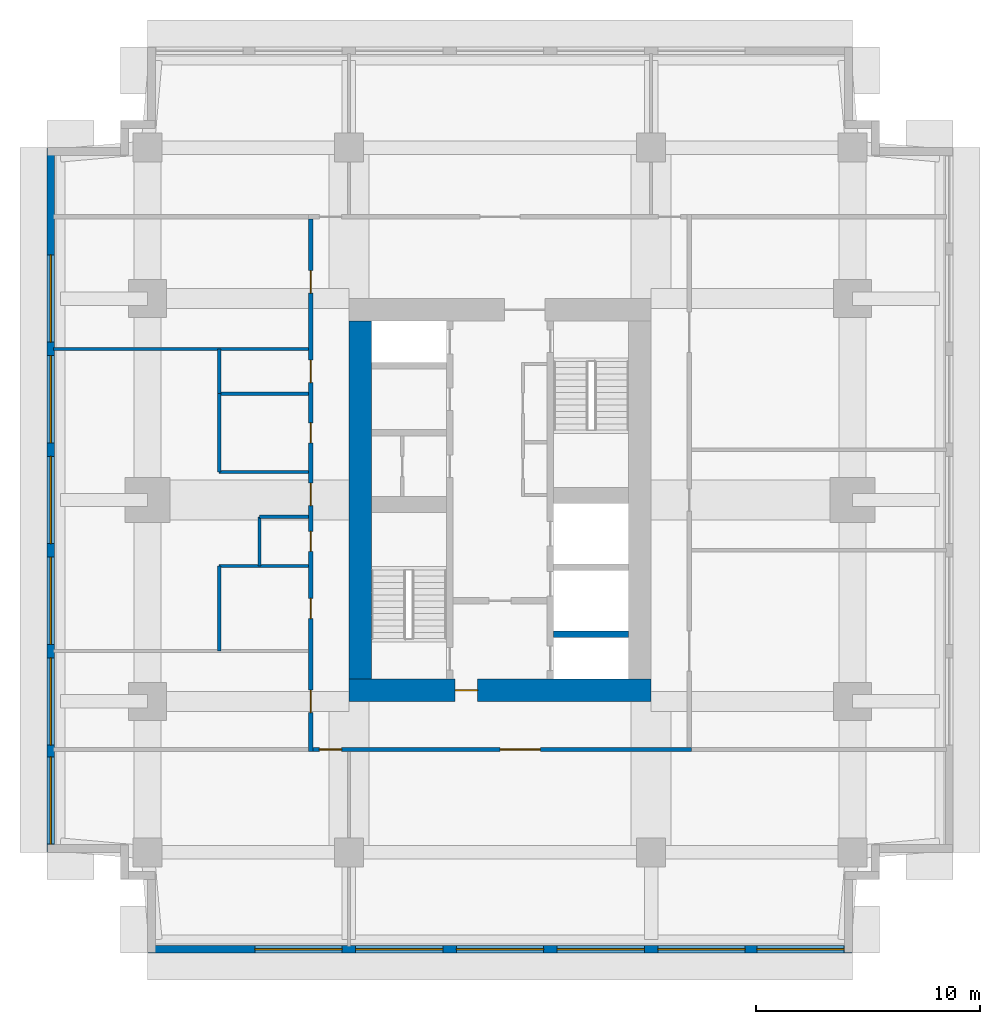
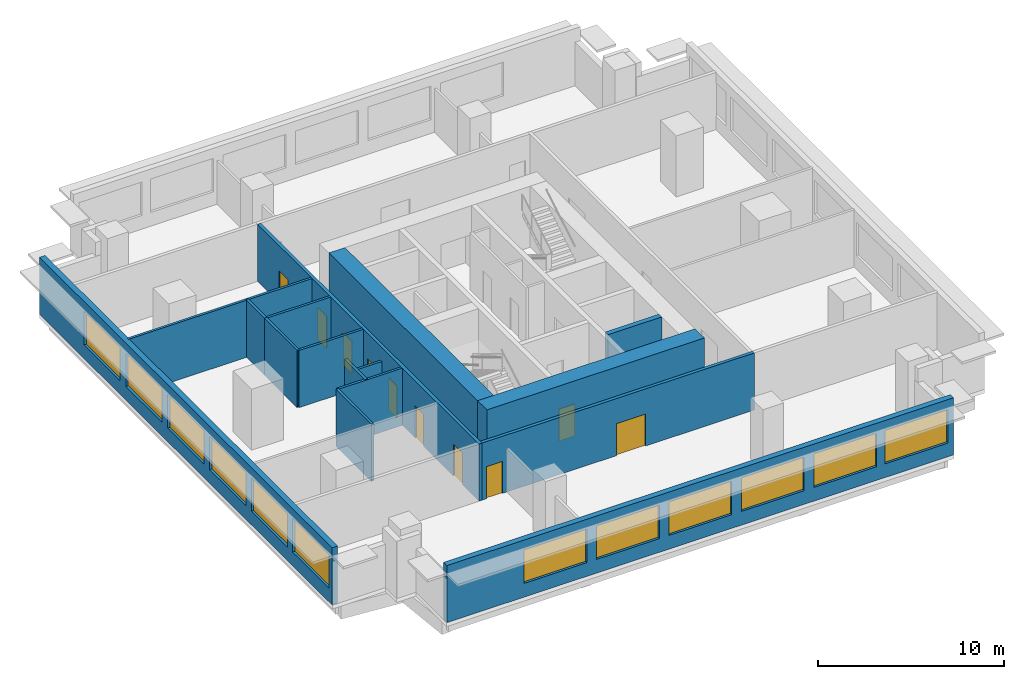
# One storey, part 2 of 5: 16 walls, 12 windows, 10 doors, 22 openings.
"""IFC4 building model written with IfcOpenShell, lengths in metres."""

from ifc_helpers import new_model, si_unit, direction, frame, frame_2d, origin, place, context, subcontext, project, spatial, rectangle, extrude, material, layer, layer_set, type_object, element, fill, save


model = new_model("IFC4")

# Units and contexts
model_context = context("Model", 3, precision=1e-05, world=origin(), true_north=direction((0.0, 1.0)))
body_context = subcontext(model_context, "Body", "Model", "MODEL_VIEW")
ifc_project = project(units=[si_unit("LENGTHUNIT", "METRE"), si_unit("AREAUNIT", "SQUARE_METRE"), si_unit("VOLUMEUNIT", "CUBIC_METRE"), si_unit("PLANEANGLEUNIT", "RADIAN"), si_unit("MASSUNIT", "GRAM", prefix="KILO")], contexts=[model_context])

# Site, building, storey
site_placement = place(None, origin())
site = spatial("IfcSite", under=ifc_project, at=site_placement, CompositionType="ELEMENT")
building_placement = place(site_placement, origin())
building = spatial("IfcBuilding", under=site, at=building_placement, Name="Namib Vertical Campus", CompositionType="ELEMENT")
storey_placement = place(building_placement, frame((0.0, 0.0, 273.0)))
storey = spatial("IfcBuildingStorey", under=building, at=storey_placement, Name="L64", CompositionType="ELEMENT", Elevation=273.0)

# Wall
ifc_material_1 = material(Name="Concrete C60/75", Category="concrete")
ifc_layer_1 = layer(ifc_material_1, 0.300048828125)
ifc_layer_set_1 = layer_set([ifc_layer_1], Name="Concrete C60/75")
wall_type_1 = type_object("IfcWallType", Name="Core inner wall 300", PredefinedType="SHEAR", material=ifc_layer_set_1)
wall_1_placement = place(storey_placement, frame((22.64990234375, 14.25, 0.0), z_axis=(0.0, 0.0, 1.0), x_axis=(1.0, 0.0, 0.0)))
element("IfcWall", 1, at=wall_1_placement, inside=storey, type_object=wall_type_1, Name="Core inner wall A L64 W5", PredefinedType="SHEAR", context=body_context, shape_type="SweptSolid", body=[
    extrude(rectangle(XDim=3.35009765625, YDim=0.300048828125, at=frame_2d((1.675048828125, 0.0))), origin(), (0.0, 0.0, 1.0), 4.0),
])

# Wall, opening, door
ifc_material_2 = material(Name="Concrete C60/75", Category="concrete")
ifc_layer_2 = layer(ifc_material_2, 1.0)
ifc_layer_set_2 = layer_set([ifc_layer_2], Name="Concrete C60/75")
wall_type_2 = type_object("IfcWallType", Name="Core wall 1000", PredefinedType="SHEAR", material=ifc_layer_set_2)
wall_2_placement = place(storey_placement, frame((13.5, 11.75, 0.0), z_axis=(0.0, 0.0, 1.0), x_axis=(1.0, 0.0, 0.0)))
wall_2 = element("IfcWall", 2, at=wall_2_placement, inside=storey, type_object=wall_type_2, Name="Core wall A L64 1", PredefinedType="SHEAR", context=body_context, shape_type="SweptSolid", body=[
    extrude(rectangle(XDim=13.5, YDim=1.0, at=frame_2d((6.75, 0.0))), origin(), (0.0, 0.0, 1.0), 4.0),
])
opening_1_placement = place(wall_2_placement, frame((4.75, 0.0, 0.0)))
opening_1 = element("IfcOpeningElement", 3, at=opening_1_placement, cuts=wall_2, Name="Opening FD5", PredefinedType="OPENING", context=body_context, shape_type="SweptSolid", body=[
    extrude(rectangle(XDim=1.0, YDim=2.10009765625, at=frame_2d((0.5, 1.050048828125))), frame((0.0, 0.510009765625, 0.0), z_axis=(0.0, -1.0, 0.0), x_axis=(1.0, 0.0, 0.0)), (0.0, 0.0, 1.0), 1.02001953125),
])
ifc_material_3 = material(Name="Steel fire door", Category="steel")
door_type_1 = type_object("IfcDoorType", Name="Fire door 1000x2100 120 min", OperationType="SINGLE_SWING_RIGHT", PredefinedType="DOOR", material=ifc_material_3)
door_1_placement = place(opening_1_placement, origin())
door_1 = element("IfcDoor", 4, at=door_1_placement, inside=storey, type_object=door_type_1, Name="Firefighting lobby door FD5 A L64", OperationType="SINGLE_SWING_LEFT", OverallHeight=2.10009765625, OverallWidth=1.0, PredefinedType="DOOR", context=body_context, shape_type="SweptSolid", body=[
    extrude(rectangle(XDim=1.0, YDim=2.10009765625, at=frame_2d((0.5, 1.050048828125))), frame((0.0, 0.02490234375, 0.0), z_axis=(0.0, -1.0, 0.0), x_axis=(1.0, 0.0, 0.0)), (0.0, 0.0, 1.0), 0.050048828125),
])
fill(opening_1, door_1)

# Wall
wall_3_placement = place(storey_placement, frame((14.0, 28.25, 0.0), z_axis=(0.0, 0.0, 1.0), x_axis=(0.0, -1.0, 0.0)))
element("IfcWall", 5, at=wall_3_placement, inside=storey, type_object=wall_type_2, Name="Core wall A L64 4", PredefinedType="SHEAR", context=body_context, shape_type="SweptSolid", body=[
    extrude(rectangle(XDim=16.0, YDim=1.0, at=frame_2d((8.0, 0.0))), origin(), (0.0, 0.0, 1.0), 4.0),
])

# Wall, openings, doors
ifc_material_4 = material(Name="Concrete masonry", Category="masonry")
ifc_layer_3 = layer(ifc_material_4, 0.199951171875)
ifc_layer_set_3 = layer_set([ifc_layer_3], Name="Corridor wall 200")
wall_type_3 = type_object("IfcWallType", Name="Corridor wall 200", PredefinedType="SOLIDWALL", material=ifc_layer_set_3)
wall_4_placement = place(storey_placement, frame((11.89990234375, 9.10009765625, 0.0), z_axis=(0.0, 0.0, 1.0), x_axis=(1.0, 0.0, 0.0)))
wall_4 = element("IfcWall", 6, at=wall_4_placement, inside=storey, type_object=wall_type_3, Name="Corridor wall A L64 CS", PredefinedType="SOLIDWALL", context=body_context, shape_type="SweptSolid", body=[
    extrude(rectangle(XDim=16.900146484375, YDim=0.199951171875, at=frame_2d((8.4501953125, 0.0))), origin(), (0.0, 0.0, 1.0), 3.75),
])
opening_2_placement = place(wall_4_placement, frame((0.27490234375, 0.0, 0.0)))
opening_2 = element("IfcOpeningElement", 7, at=opening_2_placement, cuts=wall_4, Name="Opening CD1", PredefinedType="OPENING", context=body_context, shape_type="SweptSolid", body=[
    extrude(rectangle(XDim=1.0, YDim=2.10009765625, at=frame_2d((0.5, 1.050048828125))), frame((0.0, 0.10986328125, 0.0), z_axis=(0.0, -1.0, 0.0), x_axis=(1.0, 0.0, 0.0)), (0.0, 0.0, 1.0), 0.219970703125),
])
opening_3_placement = place(wall_4_placement, frame((8.35009765625, 0.0, 0.0)))
opening_3 = element("IfcOpeningElement", 8, at=opening_3_placement, cuts=wall_4, Name="Opening CD2", PredefinedType="OPENING", context=body_context, shape_type="SweptSolid", body=[
    extrude(rectangle(XDim=1.800048828125, YDim=2.10009765625, at=frame_2d((0.89990234375, 1.050048828125))), frame((0.0, 0.10986328125, 0.0), z_axis=(0.0, -1.0, 0.0), x_axis=(1.0, 0.0, 0.0)), (0.0, 0.0, 1.0), 0.219970703125),
])
ifc_material_5 = material(Name="Timber fire door leaf", Category="wood")
door_type_2 = type_object("IfcDoorType", Name="Corridor door 1000x2100 20 min", OperationType="SINGLE_SWING_LEFT", PredefinedType="DOOR", material=ifc_material_5)
door_2_placement = place(opening_2_placement, frame((1.0, 0.0, 0.0), z_axis=(0.0, 0.0, 1.0), x_axis=(-1.0, 0.0, 0.0)))
door_2 = element("IfcDoor", 9, at=door_2_placement, inside=storey, type_object=door_type_2, Name="Door CD1 A64-01", OperationType="SINGLE_SWING_LEFT", OverallHeight=2.10009765625, OverallWidth=1.0, PredefinedType="DOOR", context=body_context, shape_type="SweptSolid", body=[
    extrude(rectangle(XDim=1.0, YDim=2.10009765625, at=frame_2d((0.5, 1.050048828125))), frame((0.0, 0.02490234375, 0.0), z_axis=(0.0, -1.0, 0.0), x_axis=(1.0, 0.0, 0.0)), (0.0, 0.0, 1.0), 0.050048828125),
])
fill(opening_2, door_2)
ifc_material_6 = material(Name="Timber fire door leaf", Category="wood")
door_type_3 = type_object("IfcDoorType", Name="Corridor door double 1800x2100 20 min", OperationType="DOUBLE_DOOR_SINGLE_SWING", PredefinedType="DOOR", material=ifc_material_6)
door_3_placement = place(opening_3_placement, frame((1.800048828125, 0.0, 0.0), z_axis=(0.0, 0.0, 1.0), x_axis=(-1.0, 0.0, 0.0)))
door_3 = element("IfcDoor", 10, at=door_3_placement, inside=storey, type_object=door_type_3, Name="Door CD2 A64-02", OperationType="DOUBLE_DOOR_SINGLE_SWING", OverallHeight=2.10009765625, OverallWidth=1.800048828125, PredefinedType="DOOR", context=body_context, shape_type="SweptSolid", body=[
    extrude(rectangle(XDim=1.800048828125, YDim=2.10009765625, at=frame_2d((0.89990234375, 1.050048828125))), frame((0.0, 0.02490234375, 0.0), z_axis=(0.0, -1.0, 0.0), x_axis=(1.0, 0.0, 0.0)), (0.0, 0.0, 1.0), 0.050048828125),
])
fill(opening_3, door_3)

wall_5_placement = place(storey_placement, frame((11.800048828125, 32.800048828125, 0.0), z_axis=(0.0, 0.0, 1.0), x_axis=(0.0, -1.0, 0.0)))
wall_5 = element("IfcWall", 11, at=wall_5_placement, inside=storey, type_object=wall_type_3, Name="Corridor wall A L64 CW", PredefinedType="SOLIDWALL", context=body_context, shape_type="SweptSolid", body=[
    extrude(rectangle(XDim=23.800048828125, YDim=0.199951171875, at=frame_2d((11.89990234375, 0.0))), origin(), (0.0, 0.0, 1.0), 3.75),
])
opening_4_placement = place(wall_5_placement, frame((21.050048828125, 0.0, 0.0)))
opening_4 = element("IfcOpeningElement", 12, at=opening_4_placement, cuts=wall_5, Name="Opening CD1", PredefinedType="OPENING", context=body_context, shape_type="SweptSolid", body=[
    extrude(rectangle(XDim=1.0, YDim=2.10009765625, at=frame_2d((0.5, 1.050048828125))), frame((0.0, 0.10986328125, 0.0), z_axis=(0.0, -1.0, 0.0), x_axis=(1.0, 0.0, 0.0)), (0.0, 0.0, 1.0), 0.219970703125),
])
opening_5_placement = place(wall_5_placement, frame((16.949951171875, 0.0, 0.0)))
opening_5 = element("IfcOpeningElement", 13, at=opening_5_placement, cuts=wall_5, Name="Opening CD3", PredefinedType="OPENING", context=body_context, shape_type="SweptSolid", body=[
    extrude(rectangle(XDim=0.89990234375, YDim=2.10009765625, at=frame_2d((0.449951171875, 1.050048828125))), frame((0.0, 0.10986328125, 0.0), z_axis=(0.0, -1.0, 0.0), x_axis=(1.0, 0.0, 0.0)), (0.0, 0.0, 1.0), 0.219970703125),
])
opening_6_placement = place(wall_5_placement, frame((13.949951171875, 0.0, 0.0)))
opening_6 = element("IfcOpeningElement", 14, at=opening_6_placement, cuts=wall_5, Name="Opening CD3", PredefinedType="OPENING", context=body_context, shape_type="SweptSolid", body=[
    extrude(rectangle(XDim=0.89990234375, YDim=2.10009765625, at=frame_2d((0.449951171875, 1.050048828125))), frame((0.0, 0.10986328125, 0.0), z_axis=(0.0, -1.0, 0.0), x_axis=(1.0, 0.0, 0.0)), (0.0, 0.0, 1.0), 0.219970703125),
])
opening_7_placement = place(wall_5_placement, frame((9.10009765625, 0.0, 0.0)))
opening_7 = element("IfcOpeningElement", 15, at=opening_7_placement, cuts=wall_5, Name="Opening CD3", PredefinedType="OPENING", context=body_context, shape_type="SweptSolid", body=[
    extrude(rectangle(XDim=0.89990234375, YDim=2.10009765625, at=frame_2d((0.449951171875, 1.050048828125))), frame((0.0, 0.10986328125, 0.0), z_axis=(0.0, -1.0, 0.0), x_axis=(1.0, 0.0, 0.0)), (0.0, 0.0, 1.0), 0.219970703125),
])
opening_8_placement = place(wall_5_placement, frame((6.300048828125, 0.0, 0.0)))
opening_8 = element("IfcOpeningElement", 16, at=opening_8_placement, cuts=wall_5, Name="Opening CD1", PredefinedType="OPENING", context=body_context, shape_type="SweptSolid", body=[
    extrude(rectangle(XDim=1.0, YDim=2.10009765625, at=frame_2d((0.5, 1.050048828125))), frame((0.0, 0.10986328125, 0.0), z_axis=(0.0, -1.0, 0.0), x_axis=(1.0, 0.0, 0.0)), (0.0, 0.0, 1.0), 0.219970703125),
])
opening_9_placement = place(wall_5_placement, frame((11.800048828125, 0.0, 0.0)))
opening_9 = element("IfcOpeningElement", 17, at=opening_9_placement, cuts=wall_5, Name="Opening CD1", PredefinedType="OPENING", context=body_context, shape_type="SweptSolid", body=[
    extrude(rectangle(XDim=1.0, YDim=2.10009765625, at=frame_2d((0.5, 1.050048828125))), frame((0.0, 0.10986328125, 0.0), z_axis=(0.0, -1.0, 0.0), x_axis=(1.0, 0.0, 0.0)), (0.0, 0.0, 1.0), 0.219970703125),
])
opening_10_placement = place(wall_5_placement, frame((2.300048828125, 0.0, 0.0)))
opening_10 = element("IfcOpeningElement", 18, at=opening_10_placement, cuts=wall_5, Name="Opening CD1", PredefinedType="OPENING", context=body_context, shape_type="SweptSolid", body=[
    extrude(rectangle(XDim=1.0, YDim=2.10009765625, at=frame_2d((0.5, 1.050048828125))), frame((0.0, 0.10986328125, 0.0), z_axis=(0.0, -1.0, 0.0), x_axis=(1.0, 0.0, 0.0)), (0.0, 0.0, 1.0), 0.219970703125),
])
door_4_placement = place(opening_4_placement, frame((1.0, 0.0, 0.0), z_axis=(0.0, 0.0, 1.0), x_axis=(-1.0, 0.0, 0.0)))
door_4 = element("IfcDoor", 19, at=door_4_placement, inside=storey, type_object=door_type_2, Name="Door CD1 A64-09", OperationType="SINGLE_SWING_RIGHT", OverallHeight=2.10009765625, OverallWidth=1.0, PredefinedType="DOOR", context=body_context, shape_type="SweptSolid", body=[
    extrude(rectangle(XDim=1.0, YDim=2.10009765625, at=frame_2d((0.5, 1.050048828125))), frame((0.0, 0.02490234375, 0.0), z_axis=(0.0, -1.0, 0.0), x_axis=(1.0, 0.0, 0.0)), (0.0, 0.0, 1.0), 0.050048828125),
])
fill(opening_4, door_4)
door_5_placement = place(opening_8_placement, frame((1.0, 0.0, 0.0), z_axis=(0.0, 0.0, 1.0), x_axis=(-1.0, 0.0, 0.0)))
door_5 = element("IfcDoor", 20, at=door_5_placement, inside=storey, type_object=door_type_2, Name="Door CD1 A64-13", OperationType="SINGLE_SWING_RIGHT", OverallHeight=2.10009765625, OverallWidth=1.0, PredefinedType="DOOR", context=body_context, shape_type="SweptSolid", body=[
    extrude(rectangle(XDim=1.0, YDim=2.10009765625, at=frame_2d((0.5, 1.050048828125))), frame((0.0, 0.02490234375, 0.0), z_axis=(0.0, -1.0, 0.0), x_axis=(1.0, 0.0, 0.0)), (0.0, 0.0, 1.0), 0.050048828125),
])
fill(opening_8, door_5)
door_6_placement = place(opening_9_placement, frame((1.0, 0.0, 0.0), z_axis=(0.0, 0.0, 1.0), x_axis=(-1.0, 0.0, 0.0)))
door_6 = element("IfcDoor", 21, at=door_6_placement, inside=storey, type_object=door_type_2, Name="Door CD1 A64-14", OperationType="SINGLE_SWING_RIGHT", OverallHeight=2.10009765625, OverallWidth=1.0, PredefinedType="DOOR", context=body_context, shape_type="SweptSolid", body=[
    extrude(rectangle(XDim=1.0, YDim=2.10009765625, at=frame_2d((0.5, 1.050048828125))), frame((0.0, 0.02490234375, 0.0), z_axis=(0.0, -1.0, 0.0), x_axis=(1.0, 0.0, 0.0)), (0.0, 0.0, 1.0), 0.050048828125),
])
fill(opening_9, door_6)
door_7_placement = place(opening_10_placement, frame((1.0, 0.0, 0.0), z_axis=(0.0, 0.0, 1.0), x_axis=(-1.0, 0.0, 0.0)))
door_7 = element("IfcDoor", 22, at=door_7_placement, inside=storey, type_object=door_type_2, Name="Door CD1 A64-15", OperationType="SINGLE_SWING_RIGHT", OverallHeight=2.10009765625, OverallWidth=1.0, PredefinedType="DOOR", context=body_context, shape_type="SweptSolid", body=[
    extrude(rectangle(XDim=1.0, YDim=2.10009765625, at=frame_2d((0.5, 1.050048828125))), frame((0.0, 0.02490234375, 0.0), z_axis=(0.0, -1.0, 0.0), x_axis=(1.0, 0.0, 0.0)), (0.0, 0.0, 1.0), 0.050048828125),
])
fill(opening_10, door_7)
ifc_material_7 = material(Name="Timber fire door leaf", Category="wood")
door_type_4 = type_object("IfcDoorType", Name="Corridor toilet door 900x2100 20 min", OperationType="SINGLE_SWING_LEFT", PredefinedType="DOOR", material=ifc_material_7)
door_8_placement = place(opening_5_placement, frame((0.89990234375, 0.0, 0.0), z_axis=(0.0, 0.0, 1.0), x_axis=(-1.0, 0.0, 0.0)))
door_8 = element("IfcDoor", 23, at=door_8_placement, inside=storey, type_object=door_type_4, Name="Door CD3 A64-10", OperationType="SINGLE_SWING_RIGHT", OverallHeight=2.10009765625, OverallWidth=0.89990234375, PredefinedType="DOOR", context=body_context, shape_type="SweptSolid", body=[
    extrude(rectangle(XDim=0.89990234375, YDim=2.10009765625, at=frame_2d((0.449951171875, 1.050048828125))), frame((0.0, 0.02490234375, 0.0), z_axis=(0.0, -1.0, 0.0), x_axis=(1.0, 0.0, 0.0)), (0.0, 0.0, 1.0), 0.050048828125),
])
fill(opening_5, door_8)
door_9_placement = place(opening_6_placement, frame((0.89990234375, 0.0, 0.0), z_axis=(0.0, 0.0, 1.0), x_axis=(-1.0, 0.0, 0.0)))
door_9 = element("IfcDoor", 24, at=door_9_placement, inside=storey, type_object=door_type_4, Name="Door CD3 A64-11", OperationType="SINGLE_SWING_RIGHT", OverallHeight=2.10009765625, OverallWidth=0.89990234375, PredefinedType="DOOR", context=body_context, shape_type="SweptSolid", body=[
    extrude(rectangle(XDim=0.89990234375, YDim=2.10009765625, at=frame_2d((0.449951171875, 1.050048828125))), frame((0.0, 0.02490234375, 0.0), z_axis=(0.0, -1.0, 0.0), x_axis=(1.0, 0.0, 0.0)), (0.0, 0.0, 1.0), 0.050048828125),
])
fill(opening_6, door_9)
door_10_placement = place(opening_7_placement, frame((0.89990234375, 0.0, 0.0), z_axis=(0.0, 0.0, 1.0), x_axis=(-1.0, 0.0, 0.0)))
door_10 = element("IfcDoor", 25, at=door_10_placement, inside=storey, type_object=door_type_4, Name="Door CD3 A64-12", OperationType="SINGLE_SWING_RIGHT", OverallHeight=2.10009765625, OverallWidth=0.89990234375, PredefinedType="DOOR", context=body_context, shape_type="SweptSolid", body=[
    extrude(rectangle(XDim=0.89990234375, YDim=2.10009765625, at=frame_2d((0.449951171875, 1.050048828125))), frame((0.0, 0.02490234375, 0.0), z_axis=(0.0, -1.0, 0.0), x_axis=(1.0, 0.0, 0.0)), (0.0, 0.0, 1.0), 0.050048828125),
])
fill(opening_7, door_10)

# Wall, openings, windows
ifc_material_8 = material(Name="Concrete C40/50", Category="concrete")
ifc_layer_4 = layer(ifc_material_8, 0.35009765625)
ifc_layer_set_4 = layer_set([ifc_layer_4], Name="Concrete C40/50")
wall_type_4 = type_object("IfcWallType", Name="External wall 350 bush-hammered concrete", PredefinedType="STANDARD", material=ifc_layer_set_4)
wall_6_placement = place(storey_placement, frame((4.52001953125, 0.175048828125, 0.0), z_axis=(0.0, 0.0, 1.0), x_axis=(1.0, 0.0, 0.0)))
wall_6 = element("IfcWall", 26, at=wall_6_placement, inside=storey, type_object=wall_type_4, Name="External wall L64 F01", PredefinedType="STANDARD", context=body_context, shape_type="SweptSolid", body=[
    extrude(rectangle(XDim=31.4599609375, YDim=0.35009765625, at=frame_2d((15.72998046875, 0.0))), origin(), (0.0, 0.0, 1.0), 3.75),
])
opening_11_placement = place(wall_6_placement, frame((4.780029296875, 0.0, 0.89990234375)))
opening_11 = element("IfcOpeningElement", 27, at=opening_11_placement, cuts=wall_6, Name="Opening W1", PredefinedType="OPENING", context=body_context, shape_type="SweptSolid", body=[
    extrude(rectangle(XDim=3.89990234375, YDim=2.199951171875, at=frame_2d((1.949951171875, 1.10009765625))), frame((0.0, 0.18505859375, 0.0), z_axis=(0.0, -1.0, 0.0), x_axis=(1.0, 0.0, 0.0)), (0.0, 0.0, 1.0), 0.3701171875),
])
opening_12_placement = place(wall_6_placement, frame((9.280029296875, 0.0, 0.89990234375)))
opening_12 = element("IfcOpeningElement", 28, at=opening_12_placement, cuts=wall_6, Name="Opening W1", PredefinedType="OPENING", context=body_context, shape_type="SweptSolid", body=[
    extrude(rectangle(XDim=3.89990234375, YDim=2.199951171875, at=frame_2d((1.949951171875, 1.10009765625))), frame((0.0, 0.18505859375, 0.0), z_axis=(0.0, -1.0, 0.0), x_axis=(1.0, 0.0, 0.0)), (0.0, 0.0, 1.0), 0.3701171875),
])
opening_13_placement = place(wall_6_placement, frame((13.780029296875, 0.0, 0.89990234375)))
opening_13 = element("IfcOpeningElement", 29, at=opening_13_placement, cuts=wall_6, Name="Opening W1", PredefinedType="OPENING", context=body_context, shape_type="SweptSolid", body=[
    extrude(rectangle(XDim=3.89990234375, YDim=2.199951171875, at=frame_2d((1.949951171875, 1.10009765625))), frame((0.0, 0.18505859375, 0.0), z_axis=(0.0, -1.0, 0.0), x_axis=(1.0, 0.0, 0.0)), (0.0, 0.0, 1.0), 0.3701171875),
])
opening_14_placement = place(wall_6_placement, frame((18.280029296875, 0.0, 0.89990234375)))
opening_14 = element("IfcOpeningElement", 30, at=opening_14_placement, cuts=wall_6, Name="Opening W1", PredefinedType="OPENING", context=body_context, shape_type="SweptSolid", body=[
    extrude(rectangle(XDim=3.89990234375, YDim=2.199951171875, at=frame_2d((1.949951171875, 1.10009765625))), frame((0.0, 0.18505859375, 0.0), z_axis=(0.0, -1.0, 0.0), x_axis=(1.0, 0.0, 0.0)), (0.0, 0.0, 1.0), 0.3701171875),
])
opening_15_placement = place(wall_6_placement, frame((22.780029296875, 0.0, 0.89990234375)))
opening_15 = element("IfcOpeningElement", 31, at=opening_15_placement, cuts=wall_6, Name="Opening W1", PredefinedType="OPENING", context=body_context, shape_type="SweptSolid", body=[
    extrude(rectangle(XDim=3.89990234375, YDim=2.199951171875, at=frame_2d((1.949951171875, 1.10009765625))), frame((0.0, 0.18505859375, 0.0), z_axis=(0.0, -1.0, 0.0), x_axis=(1.0, 0.0, 0.0)), (0.0, 0.0, 1.0), 0.3701171875),
])
opening_16_placement = place(wall_6_placement, frame((27.2099609375, 0.0, 0.89990234375)))
opening_16 = element("IfcOpeningElement", 32, at=opening_16_placement, cuts=wall_6, Name="Opening W1", PredefinedType="OPENING", context=body_context, shape_type="SweptSolid", body=[
    extrude(rectangle(XDim=3.89990234375, YDim=2.199951171875, at=frame_2d((1.949951171875, 1.10009765625))), frame((0.0, 0.18505859375, 0.0), z_axis=(0.0, -1.0, 0.0), x_axis=(1.0, 0.0, 0.0)), (0.0, 0.0, 1.0), 0.3701171875),
])
ifc_material_9 = material(Name="Dark tinted glass in black aluminium frame", Category="aluminium")
window_type = type_object("IfcWindowType", Name="Ribbon window 3900x2200", PartitioningType="SINGLE_PANEL", PredefinedType="WINDOW", material=ifc_material_9)
window_1_placement = place(opening_11_placement, origin())
window_1 = element("IfcWindow", 33, at=window_1_placement, inside=storey, type_object=window_type, Name="Window W1 L64 F01-2", OverallHeight=2.199951171875, OverallWidth=3.89990234375, PartitioningType="SINGLE_PANEL", PredefinedType="WINDOW", context=body_context, shape_type="SweptSolid", body=[
    extrude(rectangle(XDim=3.89990234375, YDim=2.199951171875, at=frame_2d((1.949951171875, 1.10009765625))), frame((0.0, 0.030029296875, 0.0), z_axis=(0.0, -1.0, 0.0), x_axis=(1.0, 0.0, 0.0)), (0.0, 0.0, 1.0), 0.06005859375),
])
fill(opening_11, window_1)
window_2_placement = place(opening_12_placement, origin())
window_2 = element("IfcWindow", 34, at=window_2_placement, inside=storey, type_object=window_type, Name="Window W1 L64 F01-3", OverallHeight=2.199951171875, OverallWidth=3.89990234375, PartitioningType="SINGLE_PANEL", PredefinedType="WINDOW", context=body_context, shape_type="SweptSolid", body=[
    extrude(rectangle(XDim=3.89990234375, YDim=2.199951171875, at=frame_2d((1.949951171875, 1.10009765625))), frame((0.0, 0.030029296875, 0.0), z_axis=(0.0, -1.0, 0.0), x_axis=(1.0, 0.0, 0.0)), (0.0, 0.0, 1.0), 0.06005859375),
])
fill(opening_12, window_2)
window_3_placement = place(opening_13_placement, origin())
window_3 = element("IfcWindow", 35, at=window_3_placement, inside=storey, type_object=window_type, Name="Window W1 L64 F01-4", OverallHeight=2.199951171875, OverallWidth=3.89990234375, PartitioningType="SINGLE_PANEL", PredefinedType="WINDOW", context=body_context, shape_type="SweptSolid", body=[
    extrude(rectangle(XDim=3.89990234375, YDim=2.199951171875, at=frame_2d((1.949951171875, 1.10009765625))), frame((0.0, 0.030029296875, 0.0), z_axis=(0.0, -1.0, 0.0), x_axis=(1.0, 0.0, 0.0)), (0.0, 0.0, 1.0), 0.06005859375),
])
fill(opening_13, window_3)
window_4_placement = place(opening_14_placement, origin())
window_4 = element("IfcWindow", 36, at=window_4_placement, inside=storey, type_object=window_type, Name="Window W1 L64 F01-5", OverallHeight=2.199951171875, OverallWidth=3.89990234375, PartitioningType="SINGLE_PANEL", PredefinedType="WINDOW", context=body_context, shape_type="SweptSolid", body=[
    extrude(rectangle(XDim=3.89990234375, YDim=2.199951171875, at=frame_2d((1.949951171875, 1.10009765625))), frame((0.0, 0.030029296875, 0.0), z_axis=(0.0, -1.0, 0.0), x_axis=(1.0, 0.0, 0.0)), (0.0, 0.0, 1.0), 0.06005859375),
])
fill(opening_14, window_4)
window_5_placement = place(opening_15_placement, origin())
window_5 = element("IfcWindow", 37, at=window_5_placement, inside=storey, type_object=window_type, Name="Window W1 L64 F01-6", OverallHeight=2.199951171875, OverallWidth=3.89990234375, PartitioningType="SINGLE_PANEL", PredefinedType="WINDOW", context=body_context, shape_type="SweptSolid", body=[
    extrude(rectangle(XDim=3.89990234375, YDim=2.199951171875, at=frame_2d((1.949951171875, 1.10009765625))), frame((0.0, 0.030029296875, 0.0), z_axis=(0.0, -1.0, 0.0), x_axis=(1.0, 0.0, 0.0)), (0.0, 0.0, 1.0), 0.06005859375),
])
fill(opening_15, window_5)
window_6_placement = place(opening_16_placement, origin())
window_6 = element("IfcWindow", 38, at=window_6_placement, inside=storey, type_object=window_type, Name="Window W1 L64 F01-7", OverallHeight=2.199951171875, OverallWidth=3.89990234375, PartitioningType="SINGLE_PANEL", PredefinedType="WINDOW", context=body_context, shape_type="SweptSolid", body=[
    extrude(rectangle(XDim=3.89990234375, YDim=2.199951171875, at=frame_2d((1.949951171875, 1.10009765625))), frame((0.0, 0.030029296875, 0.0), z_axis=(0.0, -1.0, 0.0), x_axis=(1.0, 0.0, 0.0)), (0.0, 0.0, 1.0), 0.06005859375),
])
fill(opening_16, window_6)

wall_7_placement = place(storey_placement, frame((0.175048828125, 35.97998046875, 0.0), z_axis=(0.0, 0.0, 1.0), x_axis=(0.0, -1.0, 0.0)))
wall_7 = element("IfcWall", 39, at=wall_7_placement, inside=storey, type_object=wall_type_4, Name="External wall L64 F16", PredefinedType="STANDARD", context=body_context, shape_type="SweptSolid", body=[
    extrude(rectangle(XDim=31.4599609375, YDim=0.35009765625, at=frame_2d((15.72998046875, 0.0))), origin(), (0.0, 0.0, 1.0), 3.75),
])
opening_17_placement = place(wall_7_placement, frame((27.2099609375, 0.0, 0.89990234375)))
opening_17 = element("IfcOpeningElement", 40, at=opening_17_placement, cuts=wall_7, Name="Opening W1", PredefinedType="OPENING", context=body_context, shape_type="SweptSolid", body=[
    extrude(rectangle(XDim=3.89990234375, YDim=2.199951171875, at=frame_2d((1.949951171875, 1.10009765625))), frame((0.0, 0.18505859375, 0.0), z_axis=(0.0, -1.0, 0.0), x_axis=(1.0, 0.0, 0.0)), (0.0, 0.0, 1.0), 0.3701171875),
])
opening_18_placement = place(wall_7_placement, frame((22.780029296875, 0.0, 0.89990234375)))
opening_18 = element("IfcOpeningElement", 41, at=opening_18_placement, cuts=wall_7, Name="Opening W1", PredefinedType="OPENING", context=body_context, shape_type="SweptSolid", body=[
    extrude(rectangle(XDim=3.89990234375, YDim=2.199951171875, at=frame_2d((1.949951171875, 1.10009765625))), frame((0.0, 0.18505859375, 0.0), z_axis=(0.0, -1.0, 0.0), x_axis=(1.0, 0.0, 0.0)), (0.0, 0.0, 1.0), 0.3701171875),
])
opening_19_placement = place(wall_7_placement, frame((18.280029296875, 0.0, 0.89990234375)))
opening_19 = element("IfcOpeningElement", 42, at=opening_19_placement, cuts=wall_7, Name="Opening W1", PredefinedType="OPENING", context=body_context, shape_type="SweptSolid", body=[
    extrude(rectangle(XDim=3.89990234375, YDim=2.199951171875, at=frame_2d((1.949951171875, 1.10009765625))), frame((0.0, 0.18505859375, 0.0), z_axis=(0.0, -1.0, 0.0), x_axis=(1.0, 0.0, 0.0)), (0.0, 0.0, 1.0), 0.3701171875),
])
opening_20_placement = place(wall_7_placement, frame((13.780029296875, 0.0, 0.89990234375)))
opening_20 = element("IfcOpeningElement", 43, at=opening_20_placement, cuts=wall_7, Name="Opening W1", PredefinedType="OPENING", context=body_context, shape_type="SweptSolid", body=[
    extrude(rectangle(XDim=3.89990234375, YDim=2.199951171875, at=frame_2d((1.949951171875, 1.10009765625))), frame((0.0, 0.18505859375, 0.0), z_axis=(0.0, -1.0, 0.0), x_axis=(1.0, 0.0, 0.0)), (0.0, 0.0, 1.0), 0.3701171875),
])
opening_21_placement = place(wall_7_placement, frame((9.280029296875, 0.0, 0.89990234375)))
opening_21 = element("IfcOpeningElement", 44, at=opening_21_placement, cuts=wall_7, Name="Opening W1", PredefinedType="OPENING", context=body_context, shape_type="SweptSolid", body=[
    extrude(rectangle(XDim=3.89990234375, YDim=2.199951171875, at=frame_2d((1.949951171875, 1.10009765625))), frame((0.0, 0.18505859375, 0.0), z_axis=(0.0, -1.0, 0.0), x_axis=(1.0, 0.0, 0.0)), (0.0, 0.0, 1.0), 0.3701171875),
])
opening_22_placement = place(wall_7_placement, frame((4.780029296875, 0.0, 0.89990234375)))
opening_22 = element("IfcOpeningElement", 45, at=opening_22_placement, cuts=wall_7, Name="Opening W1", PredefinedType="OPENING", context=body_context, shape_type="SweptSolid", body=[
    extrude(rectangle(XDim=3.89990234375, YDim=2.199951171875, at=frame_2d((1.949951171875, 1.10009765625))), frame((0.0, 0.18505859375, 0.0), z_axis=(0.0, -1.0, 0.0), x_axis=(1.0, 0.0, 0.0)), (0.0, 0.0, 1.0), 0.3701171875),
])
window_7_placement = place(opening_17_placement, origin())
window_7 = element("IfcWindow", 46, at=window_7_placement, inside=storey, type_object=window_type, Name="Window W1 L64 F16-1", OverallHeight=2.199951171875, OverallWidth=3.89990234375, PartitioningType="SINGLE_PANEL", PredefinedType="WINDOW", context=body_context, shape_type="SweptSolid", body=[
    extrude(rectangle(XDim=3.89990234375, YDim=2.199951171875, at=frame_2d((1.949951171875, 1.10009765625))), frame((0.0, 0.030029296875, 0.0), z_axis=(0.0, -1.0, 0.0), x_axis=(1.0, 0.0, 0.0)), (0.0, 0.0, 1.0), 0.06005859375),
])
fill(opening_17, window_7)
window_8_placement = place(opening_18_placement, origin())
window_8 = element("IfcWindow", 47, at=window_8_placement, inside=storey, type_object=window_type, Name="Window W1 L64 F16-2", OverallHeight=2.199951171875, OverallWidth=3.89990234375, PartitioningType="SINGLE_PANEL", PredefinedType="WINDOW", context=body_context, shape_type="SweptSolid", body=[
    extrude(rectangle(XDim=3.89990234375, YDim=2.199951171875, at=frame_2d((1.949951171875, 1.10009765625))), frame((0.0, 0.030029296875, 0.0), z_axis=(0.0, -1.0, 0.0), x_axis=(1.0, 0.0, 0.0)), (0.0, 0.0, 1.0), 0.06005859375),
])
fill(opening_18, window_8)
window_9_placement = place(opening_19_placement, origin())
window_9 = element("IfcWindow", 48, at=window_9_placement, inside=storey, type_object=window_type, Name="Window W1 L64 F16-3", OverallHeight=2.199951171875, OverallWidth=3.89990234375, PartitioningType="SINGLE_PANEL", PredefinedType="WINDOW", context=body_context, shape_type="SweptSolid", body=[
    extrude(rectangle(XDim=3.89990234375, YDim=2.199951171875, at=frame_2d((1.949951171875, 1.10009765625))), frame((0.0, 0.030029296875, 0.0), z_axis=(0.0, -1.0, 0.0), x_axis=(1.0, 0.0, 0.0)), (0.0, 0.0, 1.0), 0.06005859375),
])
fill(opening_19, window_9)
window_10_placement = place(opening_20_placement, origin())
window_10 = element("IfcWindow", 49, at=window_10_placement, inside=storey, type_object=window_type, Name="Window W1 L64 F16-4", OverallHeight=2.199951171875, OverallWidth=3.89990234375, PartitioningType="SINGLE_PANEL", PredefinedType="WINDOW", context=body_context, shape_type="SweptSolid", body=[
    extrude(rectangle(XDim=3.89990234375, YDim=2.199951171875, at=frame_2d((1.949951171875, 1.10009765625))), frame((0.0, 0.030029296875, 0.0), z_axis=(0.0, -1.0, 0.0), x_axis=(1.0, 0.0, 0.0)), (0.0, 0.0, 1.0), 0.06005859375),
])
fill(opening_20, window_10)
window_11_placement = place(opening_21_placement, origin())
window_11 = element("IfcWindow", 50, at=window_11_placement, inside=storey, type_object=window_type, Name="Window W1 L64 F16-5", OverallHeight=2.199951171875, OverallWidth=3.89990234375, PartitioningType="SINGLE_PANEL", PredefinedType="WINDOW", context=body_context, shape_type="SweptSolid", body=[
    extrude(rectangle(XDim=3.89990234375, YDim=2.199951171875, at=frame_2d((1.949951171875, 1.10009765625))), frame((0.0, 0.030029296875, 0.0), z_axis=(0.0, -1.0, 0.0), x_axis=(1.0, 0.0, 0.0)), (0.0, 0.0, 1.0), 0.06005859375),
])
fill(opening_21, window_11)
window_12_placement = place(opening_22_placement, origin())
window_12 = element("IfcWindow", 51, at=window_12_placement, inside=storey, type_object=window_type, Name="Window W1 L64 F16-6", OverallHeight=2.199951171875, OverallWidth=3.89990234375, PartitioningType="SINGLE_PANEL", PredefinedType="WINDOW", context=body_context, shape_type="SweptSolid", body=[
    extrude(rectangle(XDim=3.89990234375, YDim=2.199951171875, at=frame_2d((1.949951171875, 1.10009765625))), frame((0.0, 0.030029296875, 0.0), z_axis=(0.0, -1.0, 0.0), x_axis=(1.0, 0.0, 0.0)), (0.0, 0.0, 1.0), 0.06005859375),
])
fill(opening_22, window_12)

# Walls
ifc_material_10 = material(Name="Gypsum board on steel studs", Category="steel")
ifc_layer_5 = layer(ifc_material_10, 0.14990234375)
ifc_layer_set_5 = layer_set([ifc_layer_5], Name="Gypsum board on steel studs")
wall_type_5 = type_object("IfcWallType", Name="Partition 150", PredefinedType="PARTITIONING", material=ifc_layer_set_5)
wall_8_placement = place(storey_placement, frame((0.300048828125, 27.0, 0.0), z_axis=(0.0, 0.0, 1.0), x_axis=(1.0, 0.0, 0.0)))
element("IfcWall", 52, at=wall_8_placement, inside=storey, type_object=wall_type_5, Name="Partition A L64 PW2", PredefinedType="PARTITIONING", context=body_context, shape_type="SweptSolid", body=[
    extrude(rectangle(XDim=11.39990234375, YDim=0.14990234375, at=frame_2d((5.699951171875, 0.0))), origin(), (0.0, 0.0, 1.0), 3.75),
])
wall_9_placement = place(storey_placement, frame((11.699951171875, 17.300048828125, 0.0), z_axis=(0.0, 0.0, 1.0), x_axis=(-1.0, 0.0, 0.0)))
element("IfcWall", 53, at=wall_9_placement, inside=storey, type_object=wall_type_5, Name="Partition A L64 WR1", PredefinedType="PARTITIONING", context=body_context, shape_type="SweptSolid", body=[
    extrude(rectangle(XDim=4.0, YDim=0.14990234375, at=frame_2d((2.0, 0.0))), origin(), (0.0, 0.0, 1.0), 3.75),
])
wall_10_placement = place(storey_placement, frame((11.699951171875, 19.5, 0.0), z_axis=(0.0, 0.0, 1.0), x_axis=(-1.0, 0.0, 0.0)))
element("IfcWall", 54, at=wall_10_placement, inside=storey, type_object=wall_type_5, Name="Partition A L64 WR2", PredefinedType="PARTITIONING", context=body_context, shape_type="SweptSolid", body=[
    extrude(rectangle(XDim=2.199951171875, YDim=0.14990234375, at=frame_2d((1.10009765625, 0.0))), origin(), (0.0, 0.0, 1.0), 2.85009765625),
])
for number, where, z_axis, x_axis, name in (
    (55, (11.699951171875, 21.5, 0.0), (0.0, 0.0, 1.0), (-1.0, 0.0, 0.0), "Partition A L64 WR3"),
    (56, (11.699951171875, 25.0, 0.0), (0.0, 0.0, 1.0), (-1.0, 0.0, 0.0), "Partition A L64 WR4"),
):
    element("IfcWall", number, at=place(storey_placement, frame(where, z_axis=z_axis, x_axis=x_axis)), inside=storey, type_object=wall_type_5, Name=name, PredefinedType="PARTITIONING", context=body_context, shape_type="SweptSolid", body=[
        extrude(rectangle(XDim=4.0, YDim=0.14990234375, at=frame_2d((2.0, 0.0))), origin(), (0.0, 0.0, 1.0), 3.75),
    ])
wall_11_placement = place(storey_placement, frame((7.699951171875, 13.5, 0.0), z_axis=(0.0, 0.0, 1.0), x_axis=(0.0, 1.0, 0.0)))
element("IfcWall", 57, at=wall_11_placement, inside=storey, type_object=wall_type_5, Name="Partition A L64 WB1", PredefinedType="PARTITIONING", context=body_context, shape_type="SweptSolid", body=[
    extrude(rectangle(XDim=3.800048828125, YDim=0.14990234375, at=frame_2d((1.89990234375, 0.0))), origin(), (0.0, 0.0, 1.0), 3.75),
])
wall_12_placement = place(storey_placement, frame((9.5, 17.300048828125, 0.0), z_axis=(0.0, 0.0, 1.0), x_axis=(0.0, 1.0, 0.0)))
element("IfcWall", 58, at=wall_12_placement, inside=storey, type_object=wall_type_5, Name="Partition A L64 WB2", PredefinedType="PARTITIONING", context=body_context, shape_type="SweptSolid", body=[
    extrude(rectangle(XDim=2.199951171875, YDim=0.14990234375, at=frame_2d((1.10009765625, 0.0))), origin(), (0.0, 0.0, 1.0), 3.75),
])
wall_13_placement = place(storey_placement, frame((7.699951171875, 21.5, 0.0), z_axis=(0.0, 0.0, 1.0), x_axis=(0.0, 1.0, 0.0)))
element("IfcWall", 59, at=wall_13_placement, inside=storey, type_object=wall_type_5, Name="Partition A L64 WB3", PredefinedType="PARTITIONING", context=body_context, shape_type="SweptSolid", body=[
    extrude(rectangle(XDim=3.5, YDim=0.14990234375, at=frame_2d((1.75, 0.0))), origin(), (0.0, 0.0, 1.0), 3.75),
])
wall_14_placement = place(storey_placement, frame((7.699951171875, 25.0, 0.0), z_axis=(0.0, 0.0, 1.0), x_axis=(0.0, 1.0, 0.0)))
element("IfcWall", 60, at=wall_14_placement, inside=storey, type_object=wall_type_5, Name="Partition A L64 WB4", PredefinedType="PARTITIONING", context=body_context, shape_type="SweptSolid", body=[
    extrude(rectangle(XDim=2.0, YDim=0.14990234375, at=frame_2d((1.0, 0.0))), origin(), (0.0, 0.0, 1.0), 3.75),
])

save(model, "model.ifc")
